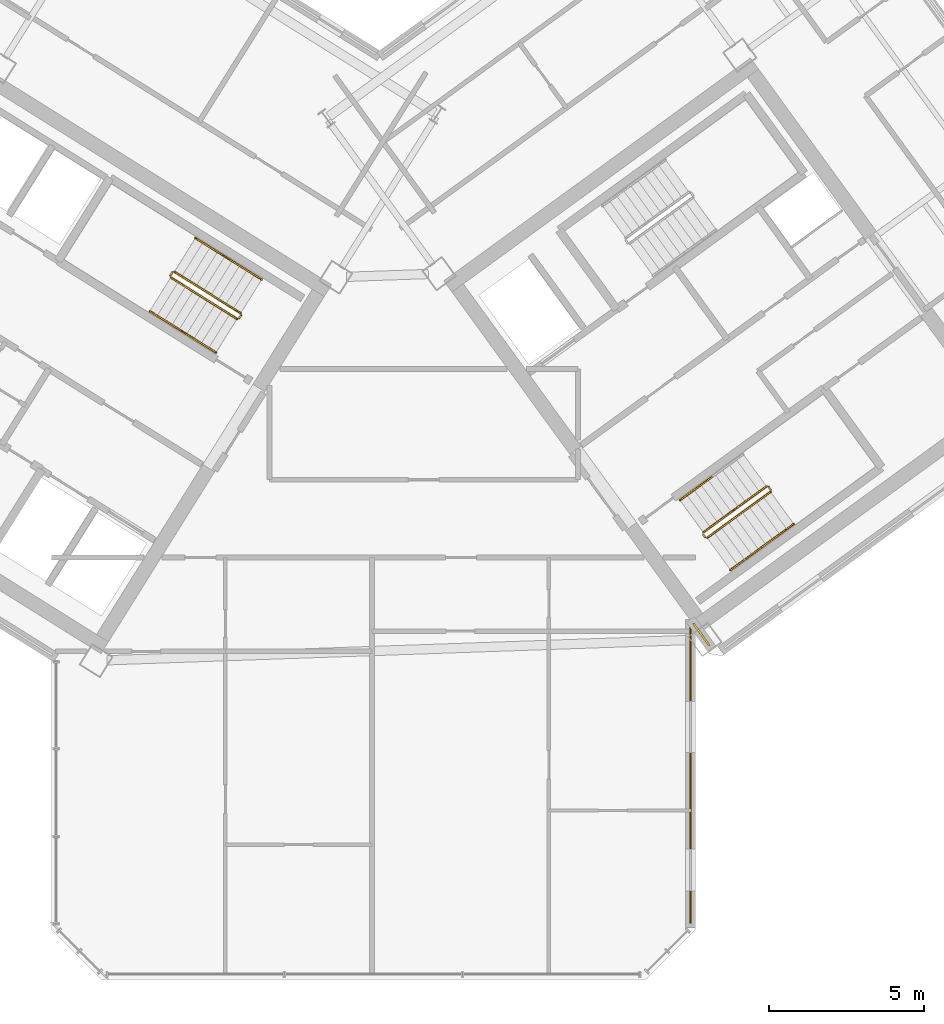
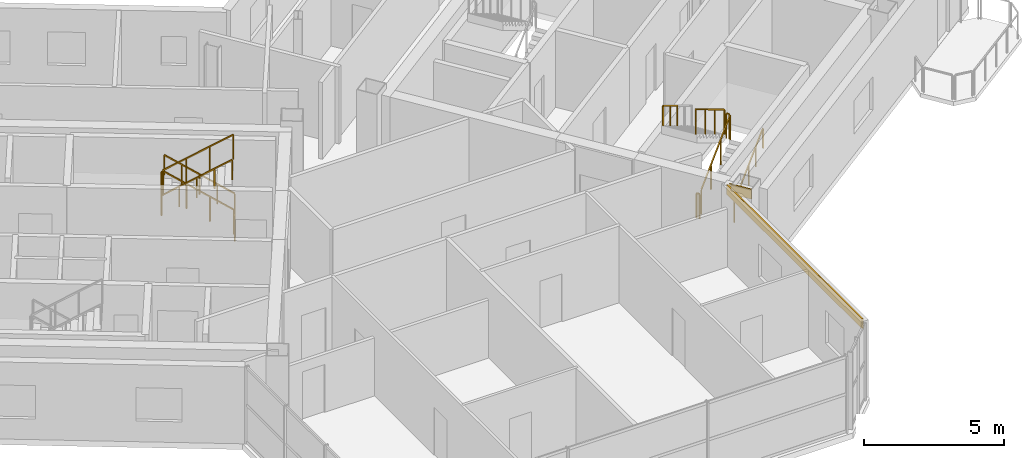
# One storey, part 19 of 21: 15 railings, 2 coverings.
"""IFC4 building model written with IfcOpenShell, lengths in metres."""

from ifc_helpers import new_model, si_unit, direction, frame, origin, origin_2d, place, context, subcontext, project, spatial, rectangle, extrude, source, transform, mapped, material, layer, layer_set, type_object, element, save


model = new_model("IFC4")

# Units and contexts
model_context = context("Model", 3, precision=1e-05, world=origin(), true_north=direction((0.0, 1.0)))
body_context = subcontext(model_context, "Body", "Model", "MODEL_VIEW")
ifc_project = project(units=[si_unit("LENGTHUNIT", "METRE"), si_unit("AREAUNIT", "SQUARE_METRE"), si_unit("VOLUMEUNIT", "CUBIC_METRE"), si_unit("PLANEANGLEUNIT", "RADIAN"), si_unit("MASSUNIT", "GRAM", prefix="KILO")], contexts=[model_context])

# Site, building, storey
site_placement = place(None, origin())
site = spatial("IfcSite", under=ifc_project, at=site_placement, CompositionType="ELEMENT")
building_placement = place(site_placement, origin())
building = spatial("IfcBuilding", under=site, at=building_placement, Name="Tlacorven Tower", CompositionType="ELEMENT")
storey_placement = place(building_placement, frame((0.0, 0.0, 222.0)))
storey = spatial("IfcBuildingStorey", under=building, at=storey_placement, Name="L56", CompositionType="ELEMENT", Elevation=222.0)

# Coverings
ifc_material_1 = material(Name="Precast concrete C45/55", Category="concrete")
ifc_layer = layer(ifc_material_1, 0.06005859375)
ifc_layer_set = layer_set([ifc_layer], Name="Precast concrete C45/55")
covering_type = type_object("IfcCoveringType", Name="CV-CLD-TERC", PredefinedType="CLADDING", material=ifc_layer_set)
shared_shape_1 = source(origin(), body_context, "Body", "SweptSolid", [
    extrude(rectangle(XDim=9.647705078125, YDim=0.06005859375, at=origin_2d()), origin(), (0.0, 0.0, 1.0), 0.419921875),
])
covering_1_placement = place(storey_placement, frame((52.239990234375, 8.440185546875, 2.929931640625), z_axis=(0.0, 0.0, 1.0), x_axis=(0.0, -1.0, 0.0)))
element("IfcCovering", 1, at=covering_1_placement, inside=storey, type_object=covering_type, Name="L56 Masonry-Frame Spandrel Cladding 8", PredefinedType="CLADDING", context=body_context, shape_type="MappedRepresentation", body=[
    mapped(shared_shape_1, transform((0.0, 0.0, 0.0), scale=1.0)),
])
shared_shape_2 = source(origin(), body_context, "Body", "SweptSolid", [
    extrude(rectangle(XDim=0.885498046875, YDim=0.06005859375, at=origin_2d()), origin(), (0.0, 0.0, 1.0), 0.419921875),
])
covering_2_placement = place(storey_placement, frame((52.58837890625, 12.934326171875, 2.929931640625), z_axis=(0.0, 0.0, 1.0), x_axis=(-0.587784043831, 0.809017872372, 0.0)))
element("IfcCovering", 2, at=covering_2_placement, inside=storey, type_object=covering_type, Name="L56 Masonry-Frame Spandrel Cladding 7", PredefinedType="CLADDING", context=body_context, shape_type="MappedRepresentation", body=[
    mapped(shared_shape_2, transform((0.0, 0.0, 0.0), scale=1.0)),
])

# Railings
ifc_material_2 = material(Name="Aluminium and painted steel balustrade", Category="steel")
railing_type_1 = type_object("IfcRailingType", Name="RL-GRD-1100", PredefinedType="GUARDRAIL", material=ifc_material_2)
shared_shape_3 = source(origin(), body_context, "Body", "SweptSolid", [
    extrude(rectangle(XDim=0.048095703125, YDim=0.048095703125, at=origin_2d()), frame((0.0, 0.0, 1.076171875), z_axis=(-0.713319727316, 0.445773895627, 0.540796265334), x_axis=(-0.529955395941, -0.84802551749, 0.0)), (0.0, 0.0, 1.0), 2.995849609375),
    extrude(rectangle(XDim=0.0419921875, YDim=0.0419921875, at=origin_2d()), origin(), (0.0, 0.0, 1.0), 1.052001953125),
    extrude(rectangle(XDim=0.0419921875, YDim=0.0419921875, at=origin_2d()), frame((-0.71240234375, 0.445068359375, 0.5400390625)), (0.0, 0.0, 1.0), 1.052001953125),
    extrude(rectangle(XDim=0.0419921875, YDim=0.0419921875, at=origin_2d()), frame((-1.424560546875, 0.890380859375, 1.080078125)), (0.0, 0.0, 1.0), 1.052001953125),
    extrude(rectangle(XDim=0.0419921875, YDim=0.0419921875, at=origin_2d()), frame((-2.136962890625, 1.33544921875, 1.6201171875)), (0.0, 0.0, 1.0), 1.052001953125),
])
railing_1_placement = place(storey_placement, frame((37.712158203125, 23.3095703125, 0.179931640625)))
element("IfcRailing", 3, at=railing_1_placement, inside=storey, type_object=railing_type_1, Name="L56 ST-W2 stair guard 1", PredefinedType="GUARDRAIL", context=body_context, shape_type="MappedRepresentation", body=[
    mapped(shared_shape_3, transform((0.0, 0.0, 0.0), scale=1.0)),
])
shared_shape_4 = source(origin(), body_context, "Body", "SweptSolid", [
    extrude(rectangle(XDim=0.048095703125, YDim=0.048095703125, at=origin_2d()), frame((0.0, 0.0, 1.076171875), z_axis=(-0.530546985787, -0.847655529016, 0.0), x_axis=(0.847655529016, -0.530546985787, 0.0)), (0.0, 0.0, 1.0), 0.1201171875),
    extrude(rectangle(XDim=0.0419921875, YDim=0.0419921875, at=origin_2d()), origin(), (0.0, 0.0, 1.0), 1.052001953125),
    extrude(rectangle(XDim=0.0419921875, YDim=0.0419921875, at=origin_2d()), frame((-0.063720703125, -0.101806640625, 0.0)), (0.0, 0.0, 1.0), 1.052001953125),
])
railing_2_placement = place(storey_placement, frame((37.728271484375, 23.24072265625, 0.0)))
element("IfcRailing", 4, at=railing_2_placement, inside=storey, type_object=railing_type_1, Name="L56 ST-W2 stair guard 4", PredefinedType="GUARDRAIL", context=body_context, shape_type="MappedRepresentation", body=[
    mapped(shared_shape_4, transform((0.0, 0.0, 0.0), scale=1.0)),
])
railing_type_2 = type_object("IfcRailingType", Name="RL-HND-0900", PredefinedType="HANDRAIL", material=ifc_material_2)
shared_shape_5 = source(origin(), body_context, "Body", "SweptSolid", [
    extrude(rectangle(XDim=0.048095703125, YDim=0.048095703125, at=origin_2d()), frame((0.0, 0.0, 0.8759765625), z_axis=(-0.713359751793, 0.4457479829, 0.540764828981), x_axis=(-0.529911857636, -0.848052724267, 0.0)), (0.0, 0.0, 1.0), 1.498046875),
    extrude(rectangle(XDim=0.0419921875, YDim=0.0419921875, at=origin_2d()), origin(), (0.0, 0.0, 1.0), 0.851806640625),
    extrude(rectangle(XDim=0.0419921875, YDim=0.0419921875, at=origin_2d()), frame((-0.5341796875, 0.333984375, 0.405029296875)), (0.0, 0.0, 1.0), 0.851806640625),
    extrude(rectangle(XDim=0.0419921875, YDim=0.0419921875, at=origin_2d()), frame((-1.068603515625, 0.667724609375, 0.81005859375)), (0.0, 0.0, 1.0), 0.851806640625),
])
for number, where, name in (
    (5, (38.390625, 24.39501953125, 0.179931640625), "L56 ST-W2 stair handrail 1"),
    (6, (37.322021484375, 25.062744140625, 0.989990234375), "L56 ST-W2 stair handrail 2"),
):
    element("IfcRailing", number, at=place(storey_placement, frame(where)), inside=storey, type_object=railing_type_2, Name=name, PredefinedType="HANDRAIL", context=body_context, shape_type="MappedRepresentation", body=[
        mapped(shared_shape_5, transform((0.0, 0.0, 0.0), scale=1.0)),
    ])
shared_shape_6 = source(origin(), body_context, "Body", "SweptSolid", [
    extrude(rectangle(XDim=0.048095703125, YDim=0.048095703125, at=origin_2d()), frame((0.0, 0.0, 0.8759765625), z_axis=(0.713359751793, -0.4457479829, 0.540764828981), x_axis=(0.529911857636, 0.848052724267, 0.0)), (0.0, 0.0, 1.0), 1.498046875),
    extrude(rectangle(XDim=0.0419921875, YDim=0.0419921875, at=origin_2d()), origin(), (0.0, 0.0, 1.0), 0.851806640625),
    extrude(rectangle(XDim=0.0419921875, YDim=0.0419921875, at=origin_2d()), frame((0.5341796875, -0.333984375, 0.405029296875)), (0.0, 0.0, 1.0), 0.851806640625),
    extrude(rectangle(XDim=0.0419921875, YDim=0.0419921875, at=origin_2d()), frame((1.068603515625, -0.667724609375, 0.81005859375)), (0.0, 0.0, 1.0), 0.851806640625),
])
for number, where, name in (
    (7, (34.7802734375, 23.372802734375, 1.97998046875), "L56 ST-W2 stair handrail 3"),
    (8, (35.848876953125, 22.705078125, 2.7900390625), "L56 ST-W2 stair handrail 4"),
):
    element("IfcRailing", number, at=place(storey_placement, frame(where)), inside=storey, type_object=railing_type_2, Name=name, PredefinedType="HANDRAIL", context=body_context, shape_type="MappedRepresentation", body=[
        mapped(shared_shape_6, transform((0.0, 0.0, 0.0), scale=1.0)),
    ])
shared_shape_7 = source(origin(), body_context, "Body", "SweptSolid", [
    extrude(rectangle(XDim=0.048095703125, YDim=0.048095703125, at=origin_2d()), frame((0.0, 0.0, 1.076171875), z_axis=(-0.531462422766, -0.847081869236, 0.0), x_axis=(0.847081869236, -0.531462422766, 0.0)), (0.0, 0.0, 1.0), 0.119873046875),
    extrude(rectangle(XDim=0.0419921875, YDim=0.0419921875, at=origin_2d()), origin(), (0.0, 0.0, 1.0), 1.052001953125),
    extrude(rectangle(XDim=0.0419921875, YDim=0.0419921875, at=origin_2d()), frame((-0.063720703125, -0.1015625, 0.0)), (0.0, 0.0, 1.0), 1.052001953125),
])
railing_3_placement = place(storey_placement, frame((35.50634765625, 24.62890625, 1.800048828125)))
element("IfcRailing", 9, at=railing_3_placement, inside=storey, type_object=railing_type_1, Name="L56 ST-W2 stair guard 2", PredefinedType="GUARDRAIL", context=body_context, shape_type="MappedRepresentation", body=[
    mapped(shared_shape_7, transform((0.0, 0.0, 0.0), scale=1.0)),
])
shared_shape_8 = source(origin(), body_context, "Body", "SweptSolid", [
    extrude(rectangle(XDim=0.048095703125, YDim=0.048095703125, at=origin_2d()), frame((0.0, 0.0, 1.076171875), z_axis=(0.713385662783, -0.445682681033, 0.540784470897), x_axis=(0.52984217967, 0.848096259066, 0.0)), (0.0, 0.0, 1.0), 2.995849609375),
    extrude(rectangle(XDim=0.0419921875, YDim=0.0419921875, at=origin_2d()), origin(), (0.0, 0.0, 1.0), 1.052001953125),
    extrude(rectangle(XDim=0.0419921875, YDim=0.0419921875, at=origin_2d()), frame((0.71240234375, -0.445068359375, 0.5400390625)), (0.0, 0.0, 1.0), 1.052001953125),
    extrude(rectangle(XDim=0.0419921875, YDim=0.0419921875, at=origin_2d()), frame((1.4248046875, -0.89013671875, 1.080078125)), (0.0, 0.0, 1.0), 1.052001953125),
    extrude(rectangle(XDim=0.0419921875, YDim=0.0419921875, at=origin_2d()), frame((2.13720703125, -1.335205078125, 1.6201171875)), (0.0, 0.0, 1.0), 1.052001953125),
])
railing_4_placement = place(storey_placement, frame((35.45849609375, 24.458251953125, 1.97998046875)))
element("IfcRailing", 10, at=railing_4_placement, inside=storey, type_object=railing_type_1, Name="L56 ST-W2 stair guard 3", PredefinedType="GUARDRAIL", context=body_context, shape_type="MappedRepresentation", body=[
    mapped(shared_shape_8, transform((0.0, 0.0, 0.0), scale=1.0)),
])
shared_shape_9 = source(origin(), body_context, "Body", "SweptSolid", [
    extrude(rectangle(XDim=0.048095703125, YDim=0.048095703125, at=origin_2d()), frame((0.0, 0.0, 1.076171875), z_axis=(-0.587567097037, 0.809175448515, 0.0), x_axis=(-0.809175448515, -0.587567097037, 0.0)), (0.0, 0.0, 1.0), 0.1201171875),
    extrude(rectangle(XDim=0.0419921875, YDim=0.0419921875, at=origin_2d()), origin(), (0.0, 0.0, 1.0), 1.052001953125),
    extrude(rectangle(XDim=0.0419921875, YDim=0.0419921875, at=origin_2d()), frame((-0.070556640625, 0.09716796875, 0.0)), (0.0, 0.0, 1.0), 1.052001953125),
])
for number, where, name in (
    (11, (54.8310546875, 17.605712890625, 1.800048828125), "L56 ST-E2 stair guard 2"),
    (12, (52.71142578125, 16.065673828125, 0.0), "L56 ST-E2 stair guard 4"),
):
    element("IfcRailing", number, at=place(storey_placement, frame(where)), inside=storey, type_object=railing_type_1, Name=name, PredefinedType="GUARDRAIL", context=body_context, shape_type="MappedRepresentation", body=[
        mapped(shared_shape_9, transform((0.0, 0.0, 0.0), scale=1.0)),
    ])
shared_shape_10 = source(origin(), body_context, "Body", "SweptSolid", [
    extrude(rectangle(XDim=0.048095703125, YDim=0.048095703125, at=origin_2d()), frame((0.0, 0.0, 0.8759765625), z_axis=(0.680516055757, 0.494372502302, 0.540826891737), x_axis=(-0.587745292299, 0.809046025502, 0.0)), (0.0, 0.0, 1.0), 1.497802734375),
    extrude(rectangle(XDim=0.0419921875, YDim=0.0419921875, at=origin_2d()), origin(), (0.0, 0.0, 1.0), 0.851806640625),
    extrude(rectangle(XDim=0.0419921875, YDim=0.0419921875, at=origin_2d()), frame((0.509765625, 0.3701171875, 0.405029296875)), (0.0, 0.0, 1.0), 0.851806640625),
    extrude(rectangle(XDim=0.0419921875, YDim=0.0419921875, at=origin_2d()), frame((1.019287109375, 0.740478515625, 0.81005859375)), (0.0, 0.0, 1.0), 0.851806640625),
])
railing_5_placement = place(storey_placement, frame((54.552978515625, 15.759765625, 0.989990234375)))
element("IfcRailing", 13, at=railing_5_placement, inside=storey, type_object=railing_type_2, Name="L56 ST-E2 stair handrail 2", PredefinedType="HANDRAIL", context=body_context, shape_type="MappedRepresentation", body=[
    mapped(shared_shape_10, transform((0.0, 0.0, 0.0), scale=1.0)),
])
shared_shape_11 = source(origin(), body_context, "Body", "SweptSolid", [
    extrude(rectangle(XDim=0.048095703125, YDim=0.048095703125, at=origin_2d()), frame((0.0, 0.0, 0.8759765625), z_axis=(-0.680461216233, -0.494495647917, 0.540783309093), x_axis=(0.587872112667, -0.808953879494, 0.0)), (0.0, 0.0, 1.0), 1.498046875),
    extrude(rectangle(XDim=0.0419921875, YDim=0.0419921875, at=origin_2d()), origin(), (0.0, 0.0, 1.0), 0.851806640625),
    extrude(rectangle(XDim=0.0419921875, YDim=0.0419921875, at=origin_2d()), frame((-0.509765625, -0.370361328125, 0.405029296875)), (0.0, 0.0, 1.0), 0.851806640625),
    extrude(rectangle(XDim=0.0419921875, YDim=0.0419921875, at=origin_2d()), frame((-1.019287109375, -0.74072265625, 0.81005859375)), (0.0, 0.0, 1.0), 0.851806640625),
])
railing_6_placement = place(storey_placement, frame((52.9189453125, 18.0087890625, 2.7900390625)))
element("IfcRailing", 14, at=railing_6_placement, inside=storey, type_object=railing_type_2, Name="L56 ST-E2 stair handrail 4", PredefinedType="HANDRAIL", context=body_context, shape_type="MappedRepresentation", body=[
    mapped(shared_shape_11, transform((0.0, 0.0, 0.0), scale=1.0)),
])
shared_shape_12 = source(origin(), body_context, "Body", "SweptSolid", [
    extrude(rectangle(XDim=0.048095703125, YDim=0.048095703125, at=origin_2d()), frame((0.0, 0.0, 1.076171875), z_axis=(0.680532390839, 0.494406659708, 0.54077511024), x_axis=(-0.587762637553, 0.809033424462, 0.0)), (0.0, 0.0, 1.0), 2.995849609375),
    extrude(rectangle(XDim=0.0419921875, YDim=0.0419921875, at=origin_2d()), origin(), (0.0, 0.0, 1.0), 1.052001953125),
    extrude(rectangle(XDim=0.0419921875, YDim=0.0419921875, at=origin_2d()), frame((0.6796875, 0.49365234375, 0.5400390625)), (0.0, 0.0, 1.0), 1.052001953125),
    extrude(rectangle(XDim=0.0419921875, YDim=0.0419921875, at=origin_2d()), frame((1.359130859375, 0.987548828125, 1.080078125)), (0.0, 0.0, 1.0), 1.052001953125),
    extrude(rectangle(XDim=0.0419921875, YDim=0.0419921875, at=origin_2d()), frame((2.038818359375, 1.481201171875, 1.6201171875)), (0.0, 0.0, 1.0), 1.052001953125),
])
railing_7_placement = place(storey_placement, frame((52.78125, 16.0546875, 0.179931640625)))
element("IfcRailing", 15, at=railing_7_placement, inside=storey, type_object=railing_type_1, Name="L56 ST-E2 stair guard 1", PredefinedType="GUARDRAIL", context=body_context, shape_type="MappedRepresentation", body=[
    mapped(shared_shape_12, transform((0.0, 0.0, 0.0), scale=1.0)),
])
shared_shape_13 = source(origin(), body_context, "Body", "SweptSolid", [
    extrude(rectangle(XDim=0.048095703125, YDim=0.048095703125, at=origin_2d()), frame((0.0, 0.0, 1.076171875), z_axis=(-0.680532390839, -0.494406659708, 0.54077511024), x_axis=(0.587762637553, -0.809033424462, 0.0)), (0.0, 0.0, 1.0), 2.995849609375),
    extrude(rectangle(XDim=0.0419921875, YDim=0.0419921875, at=origin_2d()), origin(), (0.0, 0.0, 1.0), 1.052001953125),
    extrude(rectangle(XDim=0.0419921875, YDim=0.0419921875, at=origin_2d()), frame((-0.6796875, -0.49365234375, 0.5400390625)), (0.0, 0.0, 1.0), 1.052001953125),
    extrude(rectangle(XDim=0.0419921875, YDim=0.0419921875, at=origin_2d()), frame((-1.359130859375, -0.987548828125, 1.080078125)), (0.0, 0.0, 1.0), 1.052001953125),
    extrude(rectangle(XDim=0.0419921875, YDim=0.0419921875, at=origin_2d()), frame((-2.038818359375, -1.481201171875, 1.6201171875)), (0.0, 0.0, 1.0), 1.052001953125),
])
railing_8_placement = place(storey_placement, frame((54.690673828125, 17.7138671875, 1.97998046875)))
element("IfcRailing", 16, at=railing_8_placement, inside=storey, type_object=railing_type_1, Name="L56 ST-E2 stair guard 3", PredefinedType="GUARDRAIL", context=body_context, shape_type="MappedRepresentation", body=[
    mapped(shared_shape_13, transform((0.0, 0.0, 0.0), scale=1.0)),
])
shared_shape_14 = source(origin(), body_context, "Body", "SweptSolid", [
    extrude(rectangle(XDim=0.048095703125, YDim=0.048095703125, at=origin_2d()), frame((0.0, 0.0, 0.8759765625), z_axis=(0.680461216233, 0.494495647917, 0.540783309093), x_axis=(-0.587872112667, 0.808953879494, 0.0)), (0.0, 0.0, 1.0), 1.498046875),
    extrude(rectangle(XDim=0.0419921875, YDim=0.0419921875, at=origin_2d()), origin(), (0.0, 0.0, 1.0), 0.851806640625),
    extrude(rectangle(XDim=0.0419921875, YDim=0.0419921875, at=origin_2d()), frame((0.509765625, 0.370361328125, 0.405029296875)), (0.0, 0.0, 1.0), 0.851806640625),
    extrude(rectangle(XDim=0.0419921875, YDim=0.0419921875, at=origin_2d()), frame((1.019287109375, 0.74072265625, 0.81005859375)), (0.0, 0.0, 1.0), 0.851806640625),
])
railing_9_placement = place(storey_placement, frame((53.53369140625, 15.01904296875, 0.179931640625)))
element("IfcRailing", 17, at=railing_9_placement, inside=storey, type_object=railing_type_2, Name="L56 ST-E2 stair handrail 1", PredefinedType="HANDRAIL", context=body_context, shape_type="MappedRepresentation", body=[
    mapped(shared_shape_14, transform((0.0, 0.0, 0.0), scale=1.0)),
])

save(model, "model.ifc")
